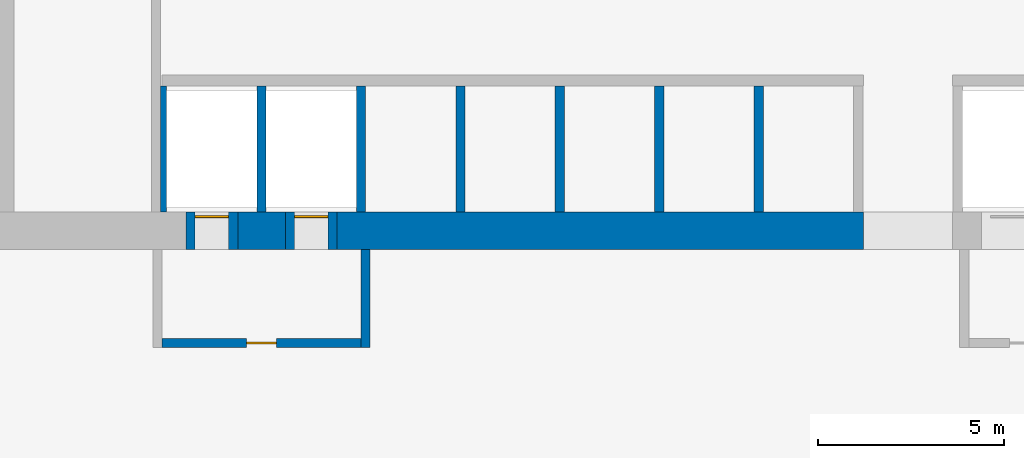
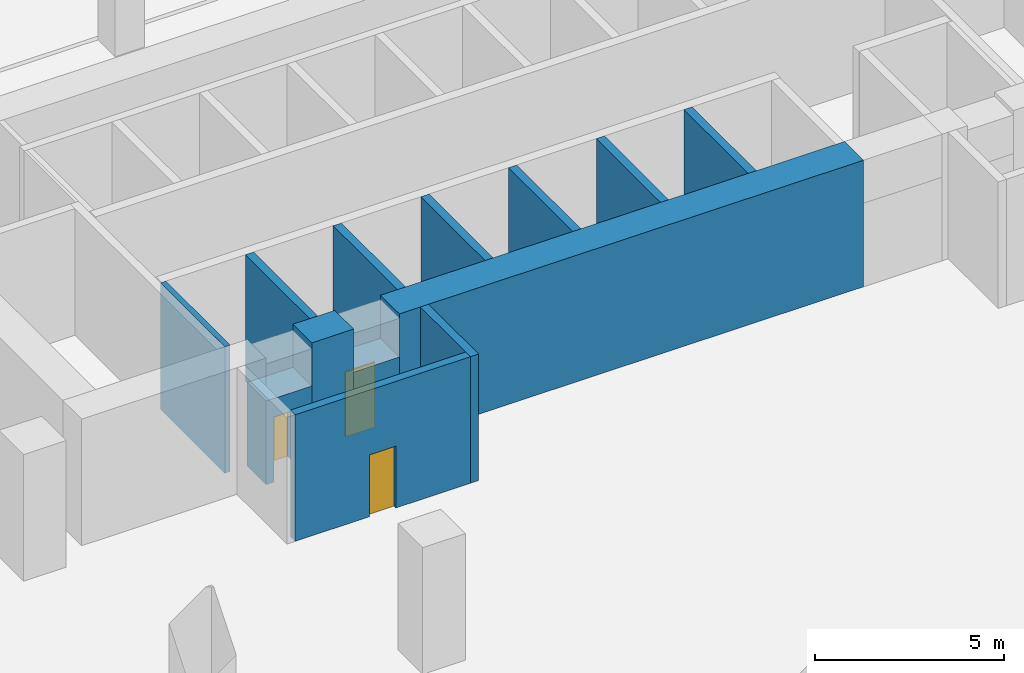
# One storey, part 4 of 11: 13 walls, 3 doors, 3 openings.
"""IFC4 building model written with IfcOpenShell, lengths in metres."""

from ifc_helpers import new_model, si_unit, direction, frame, frame_2d, origin, place, context, subcontext, project, spatial, rectangle, extrude, source, transform, mapped, material, layer, layer_set, type_object, element, fill, save


model = new_model("IFC4")

# Units and contexts
model_context = context("Model", 3, precision=1e-05, world=origin(), true_north=direction((0.0, 1.0)))
body_context = subcontext(model_context, "Body", "Model", "MODEL_VIEW")
ifc_project = project(units=[si_unit("LENGTHUNIT", "METRE"), si_unit("AREAUNIT", "SQUARE_METRE"), si_unit("VOLUMEUNIT", "CUBIC_METRE"), si_unit("PLANEANGLEUNIT", "RADIAN"), si_unit("MASSUNIT", "GRAM", prefix="KILO")], contexts=[model_context])

# Site, building, storey
site_placement = place(None, origin())
site = spatial("IfcSite", under=ifc_project, at=site_placement, CompositionType="ELEMENT")
building_placement = place(site_placement, origin())
building = spatial("IfcBuilding", under=site, at=building_placement, Name="Kilnfold Tower and Market Hall", CompositionType="ELEMENT")
storey_placement = place(building_placement, frame((0.0, 0.0, -4.5)))
storey = spatial("IfcBuildingStorey", under=building, at=storey_placement, Name="B1", CompositionType="ELEMENT", Elevation=-4.5)

# Walls
ifc_material_1 = material(Name="Concrete C80", Category="concrete")
ifc_layer_1 = layer(ifc_material_1, 1.0)
ifc_layer_set_1 = layer_set([ifc_layer_1], Name="Concrete C80")
wall_type_1 = type_object("IfcWallType", Name="CORE WALL 1000 C80", PredefinedType="SHEAR", material=ifc_layer_set_1)
shared_shape_1 = source(origin(), body_context, "Body", "SweptSolid", [
    extrude(rectangle(XDim=1.280029296875, YDim=1.0, at=frame_2d((0.64013671875, 0.0))), origin(), (0.0, 0.0, 1.0), 4.090087890625),
])
wall_1_placement = place(storey_placement, frame((-8.969970703125, 8.5, 0.0), z_axis=(0.0, 0.0, 1.0), x_axis=(1.0, 0.0, 0.0)))
element("IfcWall", 1, at=wall_1_placement, inside=storey, type_object=wall_type_1, Name="Core outer wall south", PredefinedType="SHEAR", context=body_context, shape_type="MappedRepresentation", body=[
    mapped(shared_shape_1, transform((0.0, 0.0, 0.0))),
])
shared_shape_2 = source(origin(), body_context, "Body", "SweptSolid", [
    extrude(rectangle(XDim=14.179931640625, YDim=1.0, at=frame_2d((7.08984375, 0.0))), origin(), (0.0, 0.0, 1.0), 4.090087890625),
])
wall_2_placement = place(storey_placement, frame((-6.2900390625, 8.5, 0.0), z_axis=(0.0, 0.0, 1.0), x_axis=(1.0, 0.0, 0.0)))
element("IfcWall", 2, at=wall_2_placement, inside=storey, type_object=wall_type_1, Name="Core outer wall south", PredefinedType="SHEAR", context=body_context, shape_type="MappedRepresentation", body=[
    mapped(shared_shape_2, transform((0.0, 0.0, 0.0))),
])

# Wall, opening, door
ifc_material_2 = material(Name="Gypsum shaft wall system")
ifc_layer_2 = layer(ifc_material_2, 1.0)
ifc_layer_set_2 = layer_set([ifc_layer_2], Name="Gypsum shaft wall system")
wall_type_2 = type_object("IfcWallType", Name="LOBBY WALL 1000", PredefinedType="PARTITIONING", material=ifc_layer_set_2)
shared_shape_3 = source(origin(), body_context, "Body", "SweptSolid", [
    extrude(rectangle(XDim=1.400146484375, YDim=1.0, at=frame_2d((0.7001953125, 0.0))), origin(), (0.0, 0.0, 1.0), 2.699951171875),
])
wall_3_placement = place(storey_placement, frame((-10.3701171875, 8.5, 0.0), z_axis=(0.0, 0.0, 1.0), x_axis=(1.0, 0.0, 0.0)))
wall_3 = element("IfcWall", 3, at=wall_3_placement, inside=storey, type_object=wall_type_2, Name="Core wall infill", PredefinedType="PARTITIONING", context=body_context, shape_type="MappedRepresentation", body=[
    mapped(shared_shape_3, transform((0.0, 0.0, 0.0))),
])
opening_1_placement = place(wall_3_placement, frame((0.25, 0.0, 0.0)))
opening_1 = element("IfcOpeningElement", 4, at=opening_1_placement, cuts=wall_3, Name="Opening LD1", PredefinedType="OPENING", context=body_context, shape_type="SweptSolid", body=[
    extrude(rectangle(XDim=0.89990234375, YDim=2.10009765625, at=frame_2d((0.449951171875, 1.050048828125))), frame((0.0, 0.510009765625, 0.0), z_axis=(0.0, -1.0, 0.0), x_axis=(1.0, 0.0, 0.0)), (0.0, 0.0, 1.0), 1.02001953125),
])
ifc_material_3 = material(Name="Steel door set with fire-resisting leaf", Category="steel")
door_type_1 = type_object("IfcDoorType", Name="FIREFIGHTING LANDING DOOR 900X2100", OperationType="NOTDEFINED", PredefinedType="DOOR", material=ifc_material_3)
door_1_placement = place(opening_1_placement, origin())
door_1 = element("IfcDoor", 5, at=door_1_placement, inside=storey, type_object=door_type_1, Name="Landing door FF1", OperationType="SLIDING_TO_LEFT", OverallHeight=2.10009765625, OverallWidth=0.89990234375, PredefinedType="DOOR", context=body_context, shape_type="SweptSolid", body=[
    extrude(rectangle(XDim=0.89990234375, YDim=2.10009765625, at=frame_2d((0.449951171875, 1.050048828125))), frame((0.0, 0.40478515625, 0.0), z_axis=(0.0, -1.0, 0.0), x_axis=(1.0, 0.0, 0.0)), (0.0, 0.0, 1.0), 0.050048828125),
])
fill(opening_1, door_1)

shared_shape_4 = source(origin(), body_context, "Body", "SweptSolid", [
    extrude(rectangle(XDim=1.39990234375, YDim=1.0, at=frame_2d((0.699951171875, 0.0))), origin(), (0.0, 0.0, 1.0), 2.699951171875),
])
wall_4_placement = place(storey_placement, frame((-7.68994140625, 8.5, 0.0), z_axis=(0.0, 0.0, 1.0), x_axis=(1.0, 0.0, 0.0)))
wall_4 = element("IfcWall", 6, at=wall_4_placement, inside=storey, type_object=wall_type_2, Name="Core wall infill", PredefinedType="PARTITIONING", context=body_context, shape_type="MappedRepresentation", body=[
    mapped(shared_shape_4, transform((0.0, 0.0, 0.0))),
])
opening_2_placement = place(wall_4_placement, frame((0.25, 0.0, 0.0)))
opening_2 = element("IfcOpeningElement", 7, at=opening_2_placement, cuts=wall_4, Name="Opening LD1", PredefinedType="OPENING", context=body_context, shape_type="SweptSolid", body=[
    extrude(rectangle(XDim=0.89990234375, YDim=2.10009765625, at=frame_2d((0.449951171875, 1.050048828125))), frame((0.0, 0.510009765625, 0.0), z_axis=(0.0, -1.0, 0.0), x_axis=(1.0, 0.0, 0.0)), (0.0, 0.0, 1.0), 1.02001953125),
])
door_2_placement = place(opening_2_placement, origin())
door_2 = element("IfcDoor", 8, at=door_2_placement, inside=storey, type_object=door_type_1, Name="Landing door FF2", OperationType="SLIDING_TO_RIGHT", OverallHeight=2.10009765625, OverallWidth=0.89990234375, PredefinedType="DOOR", context=body_context, shape_type="SweptSolid", body=[
    extrude(rectangle(XDim=0.89990234375, YDim=2.10009765625, at=frame_2d((0.449951171875, 1.050048828125))), frame((0.0, 0.40478515625, 0.0), z_axis=(0.0, -1.0, 0.0), x_axis=(1.0, 0.0, 0.0)), (0.0, 0.0, 1.0), 0.050048828125),
])
fill(opening_2, door_2)

# Wall
ifc_material_4 = material(Name="Gypsum shaft wall system")
ifc_layer_3 = layer(ifc_material_4, 0.25)
ifc_layer_set_3 = layer_set([ifc_layer_3], Name="Gypsum shaft wall system")
wall_type_3 = type_object("IfcWallType", Name="LOBBY WALL 250", PredefinedType="PARTITIONING", material=ifc_layer_set_3)
shared_shape_5 = source(origin(), body_context, "Body", "SweptSolid", [
    extrude(rectangle(XDim=2.64990234375, YDim=0.25, at=frame_2d((1.324951171875, 0.0))), origin(), (0.0, 0.0, 1.0), 4.090087890625),
])
wall_5_placement = place(storey_placement, frame((-5.52490234375, 5.35009765625, 0.0), z_axis=(0.0, 0.0, 1.0), x_axis=(0.0, 1.0, 0.0)))
element("IfcWall", 9, at=wall_5_placement, inside=storey, type_object=wall_type_3, Name="Firefighting lobby wall", PredefinedType="PARTITIONING", context=body_context, shape_type="MappedRepresentation", body=[
    mapped(shared_shape_5, transform((0.0, 0.0, 0.0))),
])

# Wall, opening, door
shared_shape_6 = source(origin(), body_context, "Body", "SweptSolid", [
    extrude(rectangle(XDim=5.360107421875, YDim=0.25, at=frame_2d((2.68017578125, 0.0))), origin(), (0.0, 0.0, 1.0), 4.090087890625),
])
wall_6_placement = place(storey_placement, frame((-11.010009765625, 5.47509765625, 0.0), z_axis=(0.0, 0.0, 1.0), x_axis=(1.0, 0.0, 0.0)))
wall_6 = element("IfcWall", 10, at=wall_6_placement, inside=storey, type_object=wall_type_3, Name="Firefighting lobby wall", PredefinedType="PARTITIONING", context=body_context, shape_type="MappedRepresentation", body=[
    mapped(shared_shape_6, transform((0.0, 0.0, 0.0))),
])
opening_3_placement = place(wall_6_placement, frame((2.280029296875, 0.0, 0.0)))
opening_3 = element("IfcOpeningElement", 11, at=opening_3_placement, cuts=wall_6, Name="Opening VD1", PredefinedType="OPENING", context=body_context, shape_type="SweptSolid", body=[
    extrude(rectangle(XDim=0.800048828125, YDim=2.0, at=frame_2d((0.39990234375, 1.0))), frame((0.0, 0.135009765625, 0.0), z_axis=(0.0, -1.0, 0.0), x_axis=(1.0, 0.0, 0.0)), (0.0, 0.0, 1.0), 0.27001953125),
])
ifc_material_5 = material(Name="Steel door set with fire-resisting leaf", Category="steel")
door_type_2 = type_object("IfcDoorType", Name="FIREFIGHTING LOBBY DOOR 800X2000", OperationType="NOTDEFINED", PredefinedType="DOOR", material=ifc_material_5)
door_3_placement = place(opening_3_placement, origin())
door_3 = element("IfcDoor", 12, at=door_3_placement, inside=storey, type_object=door_type_2, Name="Firefighting lobby door", OperationType="SINGLE_SWING_LEFT", OverallHeight=2.0, OverallWidth=0.800048828125, PredefinedType="DOOR", context=body_context, shape_type="SweptSolid", body=[
    extrude(rectangle(XDim=0.800048828125, YDim=2.0, at=frame_2d((0.39990234375, 1.0))), frame((0.0, 0.02490234375, 0.0), z_axis=(0.0, -1.0, 0.0), x_axis=(1.0, 0.0, 0.0)), (0.0, 0.0, 1.0), 0.050048828125),
])
fill(opening_3, door_3)

# Walls
ifc_material_6 = material(Name="Gypsum shaft wall system")
ifc_layer_4 = layer(ifc_material_6, 0.25)
ifc_layer_set_4 = layer_set([ifc_layer_4], Name="Gypsum shaft wall system")
wall_type_4 = type_object("IfcWallType", Name="SHAFT WALL 250", PredefinedType="PARTITIONING", material=ifc_layer_set_4)
shared_shape_7 = source(origin(), body_context, "Body", "SweptSolid", [
    extrude(rectangle(XDim=3.39990234375, YDim=0.25, at=frame_2d((1.699951171875, 0.0))), origin(), (0.0, 0.0, 1.0), 4.090087890625),
])
for number, where, z_axis, x_axis, name in (
    (13, (2.389892578125, 9.0, 0.0), (0.0, 0.0, 1.0), (0.0, 1.0, 0.0), "Lift shaft wall"),
    (14, (5.070068359375, 9.0, 0.0), (0.0, 0.0, 1.0), (0.0, 1.0, 0.0), "Lift shaft wall"),
    (15, (-0.2900390625, 9.0, 0.0), (0.0, 0.0, 1.0), (0.0, 1.0, 0.0), "Lift shaft wall"),
    (16, (-2.969970703125, 9.0, 0.0), (0.0, 0.0, 1.0), (0.0, 1.0, 0.0), "Lift shaft wall"),
    (17, (-5.64990234375, 9.0, 0.0), (0.0, 0.0, 1.0), (0.0, 1.0, 0.0), "Lift shaft wall"),
    (18, (-8.330078125, 9.0, 0.0), (0.0, 0.0, 1.0), (0.0, 1.0, 0.0), "Lift shaft wall"),
):
    element("IfcWall", number, at=place(storey_placement, frame(where, z_axis=z_axis, x_axis=x_axis)), inside=storey, type_object=wall_type_4, Name=name, PredefinedType="PARTITIONING", context=body_context, shape_type="MappedRepresentation", body=[
        mapped(shared_shape_7, transform((0.0, 0.0, 0.0))),
    ])
ifc_material_7 = material(Name="Gypsum shaft wall system")
ifc_layer_5 = layer(ifc_material_7, 0.1650390625)
ifc_layer_set_5 = layer_set([ifc_layer_5], Name="Gypsum shaft wall system")
wall_type_5 = type_object("IfcWallType", Name="SHAFT WALL 165", PredefinedType="PARTITIONING", material=ifc_layer_set_5)
shared_shape_8 = source(origin(), body_context, "Body", "SweptSolid", [
    extrude(rectangle(XDim=3.39990234375, YDim=0.1650390625, at=frame_2d((1.699951171875, 0.0))), origin(), (0.0, 0.0, 1.0), 4.090087890625),
])
wall_7_placement = place(storey_placement, frame((-10.967529296875, 9.0, 0.0), z_axis=(0.0, 0.0, 1.0), x_axis=(0.0, 1.0, 0.0)))
element("IfcWall", 19, at=wall_7_placement, inside=storey, type_object=wall_type_5, Name="Lift shaft wall", PredefinedType="PARTITIONING", context=body_context, shape_type="MappedRepresentation", body=[
    mapped(shared_shape_8, transform((0.0, 0.0, 0.0))),
])

save(model, "model.ifc")
